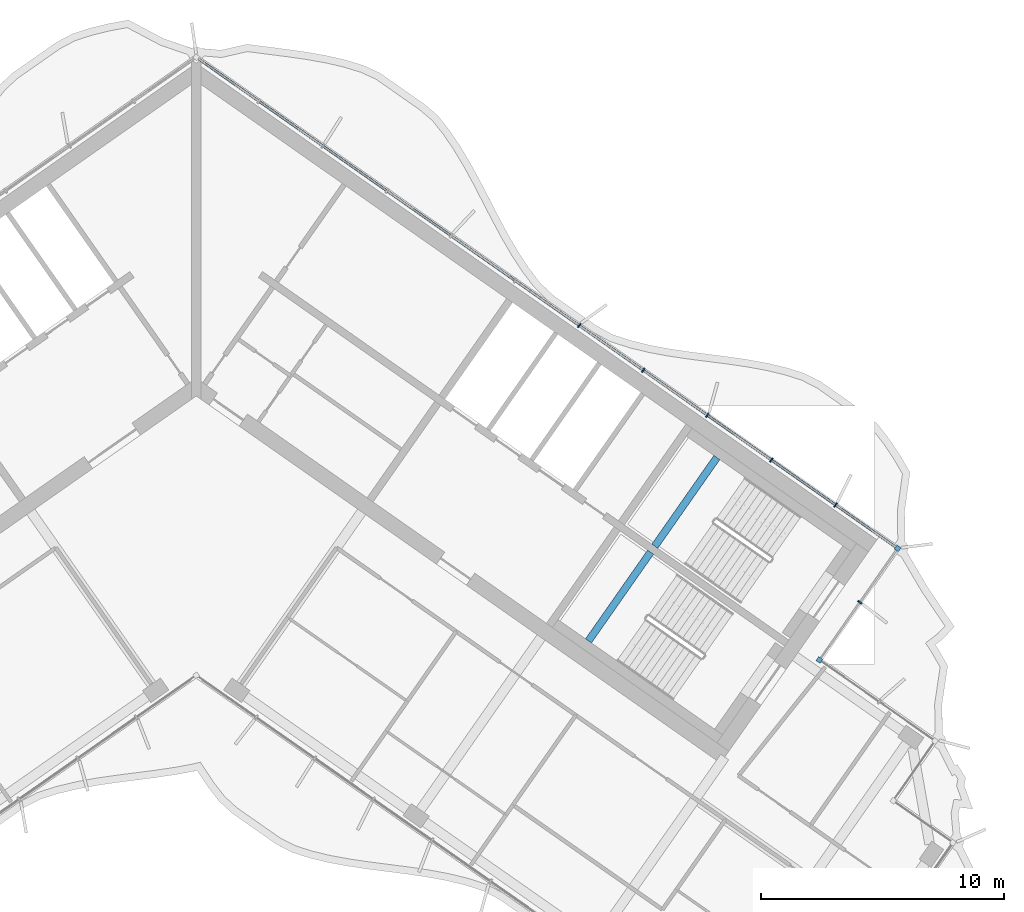
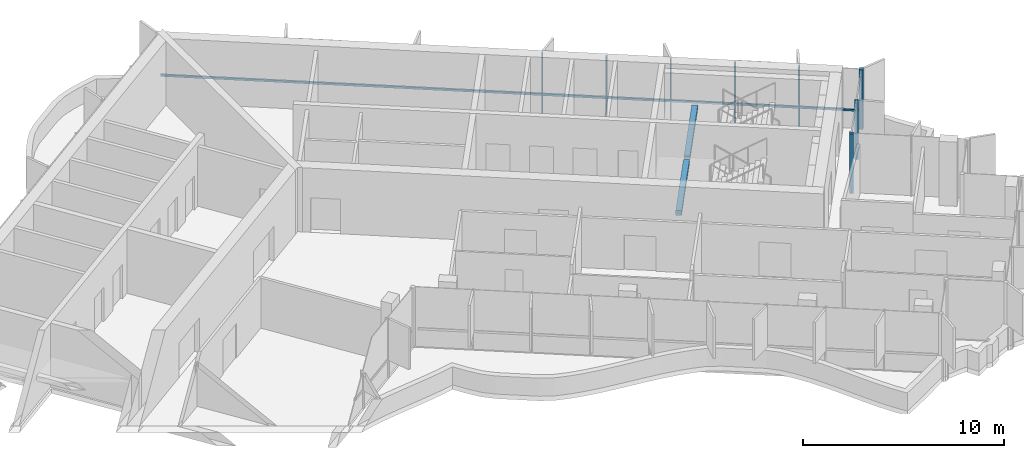
# One storey, part 5 of 18: 9 members, 2 beams, 1 element without a shape of its own.
"""IFC4 building model written with IfcOpenShell, lengths in metres."""

from ifc_helpers import new_model, si_unit, direction, frame, origin, origin_2d, place, context, subcontext, project, spatial, rectangle, extrude, material, material_profile, profile_set, type_object, element, aggregate, save


model = new_model("IFC4")

# Units and contexts
model_context = context("Model", 3, precision=1e-05, world=origin(), true_north=direction((0.0, 1.0)))
body_context = subcontext(model_context, "Body", "Model", "MODEL_VIEW")
ifc_project = project(units=[si_unit("LENGTHUNIT", "METRE"), si_unit("AREAUNIT", "SQUARE_METRE"), si_unit("VOLUMEUNIT", "CUBIC_METRE"), si_unit("PLANEANGLEUNIT", "RADIAN"), si_unit("MASSUNIT", "GRAM", prefix="KILO")], contexts=[model_context])

# Site, building, storey
site_placement = place(None, origin())
site = spatial("IfcSite", under=ifc_project, at=site_placement, CompositionType="ELEMENT")
building_placement = place(site_placement, origin())
building = spatial("IfcBuilding", under=site, at=building_placement, Name="Tel Ilan Convention Tower", CompositionType="ELEMENT")
storey_placement = place(building_placement, frame((0.0, 0.0, 260.5)))
storey = spatial("IfcBuildingStorey", under=building, at=storey_placement, Name="L61", CompositionType="ELEMENT", Elevation=260.5)

# Curtain wall, members
ifc_material_1 = material(Name="Aluminium, bronze anodised", Category="aluminium")
curtain_wall_type = type_object("IfcCurtainWallType", Name="CW2 STICK CURTAIN WALL, SPANDREL PANELS", PredefinedType="NOTDEFINED", material=ifc_material_1)
curtain_wall_placement = place(storey_placement, origin())
curtain_wall = element("IfcCurtainWall", 1, at=curtain_wall_placement, inside=storey, type_object=curtain_wall_type, Name="Curtain wall CW2-46.01", PredefinedType="NOTDEFINED")
ifc_material_2 = material(Name="Aluminium, bronze anodised", Category="aluminium")
ifc_material_profile_1 = material_profile(ifc_material_2, rectangle(XDim=0.199951171875, YDim=0.199951171875, at=origin_2d()), Name="CW CORNER MULLION 200x200")
ifc_profile_set_1 = profile_set([ifc_material_profile_1], Name="Aluminium, bronze anodised")
member_type_1 = type_object("IfcMemberType", Name="CW CORNER MULLION 200x200", PredefinedType="MULLION", material=ifc_profile_set_1)
member_1_placement = place(storey_placement, frame((25.607421875, -12.07080078125, 0.0), z_axis=(0.0, 0.0, 1.0), x_axis=(-0.819152044289, 0.573576436351, 0.0)))
member_1 = element("IfcMember", 2, at=member_1_placement, type_object=member_type_1, Name="Corner mullion", PredefinedType="MULLION", context=body_context, shape_type="SweptSolid", body=[
    extrude(rectangle(XDim=0.199951171875, YDim=0.199951171875, at=origin_2d()), origin(), (0.0, 0.0, 1.0), 3.6201171875),
])
member_2_placement = place(storey_placement, frame((28.819580078125, -7.483642578125, 0.0), z_axis=(0.0, 0.0, 1.0), x_axis=(0.573576436351, 0.819152044289, 0.0)))
member_2 = element("IfcMember", 3, at=member_2_placement, type_object=member_type_1, Name="Corner mullion", PredefinedType="MULLION", context=body_context, shape_type="SweptSolid", body=[
    extrude(rectangle(XDim=0.199951171875, YDim=0.199951171875, at=origin_2d()), origin(), (0.0, 0.0, 1.0), 3.6201171875),
])
ifc_material_3 = material(Name="Aluminium, bronze anodised", Category="aluminium")
ifc_material_profile_2 = material_profile(ifc_material_3, rectangle(XDim=0.06005859375, YDim=0.199951171875, at=origin_2d()), Name="CW MULLION 60x200")
ifc_profile_set_2 = profile_set([ifc_material_profile_2], Name="Aluminium, bronze anodised")
member_type_2 = type_object("IfcMemberType", Name="CW MULLION 60x200", PredefinedType="MULLION", material=ifc_profile_set_2)
member_3_placement = place(storey_placement, frame((27.27099609375, -9.6953125, 0.0), z_axis=(0.0, 0.0, 1.0), x_axis=(0.573576436351, 0.819152044289, 0.0)))
member_3 = element("IfcMember", 4, at=member_3_placement, type_object=member_type_2, Name="Mullion", PredefinedType="MULLION", context=body_context, shape_type="SweptSolid", body=[
    extrude(rectangle(XDim=0.06005859375, YDim=0.199951171875, at=origin_2d()), origin(), (0.0, 0.0, 1.0), 3.6201171875),
])
member_4_placement = place(storey_placement, frame((26.268798828125, -5.697509765625, 0.0), z_axis=(0.0, 0.0, 1.0), x_axis=(-0.819152044289, 0.573576436351, 0.0)))
member_4 = element("IfcMember", 5, at=member_4_placement, type_object=member_type_2, Name="Mullion", PredefinedType="MULLION", context=body_context, shape_type="SweptSolid", body=[
    extrude(rectangle(XDim=0.06005859375, YDim=0.199951171875, at=origin_2d()), origin(), (0.0, 0.0, 1.0), 3.6201171875),
])
member_5_placement = place(storey_placement, frame((23.63623046875, -3.854248046875, 0.0), z_axis=(0.0, 0.0, 1.0), x_axis=(-0.819152044289, 0.573576436351, 0.0)))
member_5 = element("IfcMember", 6, at=member_5_placement, type_object=member_type_2, Name="Mullion", PredefinedType="MULLION", context=body_context, shape_type="SweptSolid", body=[
    extrude(rectangle(XDim=0.06005859375, YDim=0.199951171875, at=origin_2d()), origin(), (0.0, 0.0, 1.0), 3.6201171875),
])
member_6_placement = place(storey_placement, frame((21.003662109375, -2.0107421875, 0.0), z_axis=(0.0, 0.0, 1.0), x_axis=(-0.819152044289, 0.573576436351, 0.0)))
member_6 = element("IfcMember", 7, at=member_6_placement, type_object=member_type_2, Name="Mullion", PredefinedType="MULLION", context=body_context, shape_type="SweptSolid", body=[
    extrude(rectangle(XDim=0.06005859375, YDim=0.199951171875, at=origin_2d()), origin(), (0.0, 0.0, 1.0), 3.6201171875),
])
member_7_placement = place(storey_placement, frame((18.37109375, -0.16748046875, 0.0), z_axis=(0.0, 0.0, 1.0), x_axis=(-0.819152044289, 0.573576436351, 0.0)))
member_7 = element("IfcMember", 8, at=member_7_placement, type_object=member_type_2, Name="Mullion", PredefinedType="MULLION", context=body_context, shape_type="SweptSolid", body=[
    extrude(rectangle(XDim=0.06005859375, YDim=0.199951171875, at=origin_2d()), origin(), (0.0, 0.0, 1.0), 3.6201171875),
])
member_8_placement = place(storey_placement, frame((15.73828125, 1.676025390625, 0.0), z_axis=(0.0, 0.0, 1.0), x_axis=(-0.819152044289, 0.573576436351, 0.0)))
member_8 = element("IfcMember", 9, at=member_8_placement, type_object=member_type_2, Name="Mullion", PredefinedType="MULLION", context=body_context, shape_type="SweptSolid", body=[
    extrude(rectangle(XDim=0.06005859375, YDim=0.199951171875, at=origin_2d()), origin(), (0.0, 0.0, 1.0), 3.6201171875),
])
ifc_material_4 = material(Name="Aluminium, bronze anodised", Category="aluminium")
ifc_material_profile_3 = material_profile(ifc_material_4, rectangle(XDim=0.10009765625, YDim=0.1201171875, at=origin_2d()), Name="CW TRANSOM 100x120")
ifc_profile_set_3 = profile_set([ifc_material_profile_3], Name="Aluminium, bronze anodised")
member_type_3 = type_object("IfcMemberType", Name="CW TRANSOM 100x120", PredefinedType="USERDEFINED", material=ifc_profile_set_3)
member_9_placement = place(storey_placement, frame((28.737548828125, -7.42626953125, 1.10009765625), z_axis=(-0.819150201937, 0.573579067494, 0.0), x_axis=(-0.573579067494, -0.819150201937, 0.0)))
member_9 = element("IfcMember", 10, at=member_9_placement, type_object=member_type_3, Name="Transom", ObjectType="TRANSOM", PredefinedType="USERDEFINED", context=body_context, shape_type="SweptSolid", body=[
    extrude(rectangle(XDim=0.10009765625, YDim=0.1201171875, at=origin_2d()), origin(), (0.0, 0.0, 1.0), 34.9521484375),
])
aggregate(curtain_wall, [member_1, member_3, member_2, member_4, member_5, member_6, member_7, member_8, member_9])

# Beams
ifc_material_5 = material(Name="Concrete C40/50", Category="concrete")
ifc_material_profile_4 = material_profile(ifc_material_5, rectangle(XDim=0.300048828125, YDim=0.300048828125, at=origin_2d()), Name="RC 300x300")
ifc_profile_set_4 = profile_set([ifc_material_profile_4], Name="Concrete C40/50")
beam_type = type_object("IfcBeamType", Name="Landing Beam RC 300x300 Concrete C40/50", PredefinedType="BEAM", material=ifc_profile_set_4)
beam_1_placement = place(storey_placement, frame((21.39404296875, -3.7490234375, 1.60009765625), z_axis=(-0.573547030514, -0.819172633691, 0.0), x_axis=(0.819172633691, -0.573547030514, 0.0)))
element("IfcBeam", 11, at=beam_1_placement, inside=storey, type_object=beam_type, Name="S3 landing beam L61.1", PredefinedType="BEAM", context=body_context, shape_type="SweptSolid", body=[
    extrude(rectangle(XDim=0.300048828125, YDim=0.300048828125, at=origin_2d()), origin(), (0.0, 0.0, 1.0), 4.449951171875),
])
beam_2_placement = place(storey_placement, frame((18.669677734375, -7.64013671875, 1.60009765625), z_axis=(-0.573583844845, -0.819146856756, 0.0), x_axis=(0.819146856756, -0.573583844845, 0.0)))
element("IfcBeam", 12, at=beam_2_placement, inside=storey, type_object=beam_type, Name="S4 landing beam L61.1", PredefinedType="BEAM", context=body_context, shape_type="SweptSolid", body=[
    extrude(rectangle(XDim=0.300048828125, YDim=0.300048828125, at=origin_2d()), origin(), (0.0, 0.0, 1.0), 4.4501953125),
])

save(model, "model.ifc")
